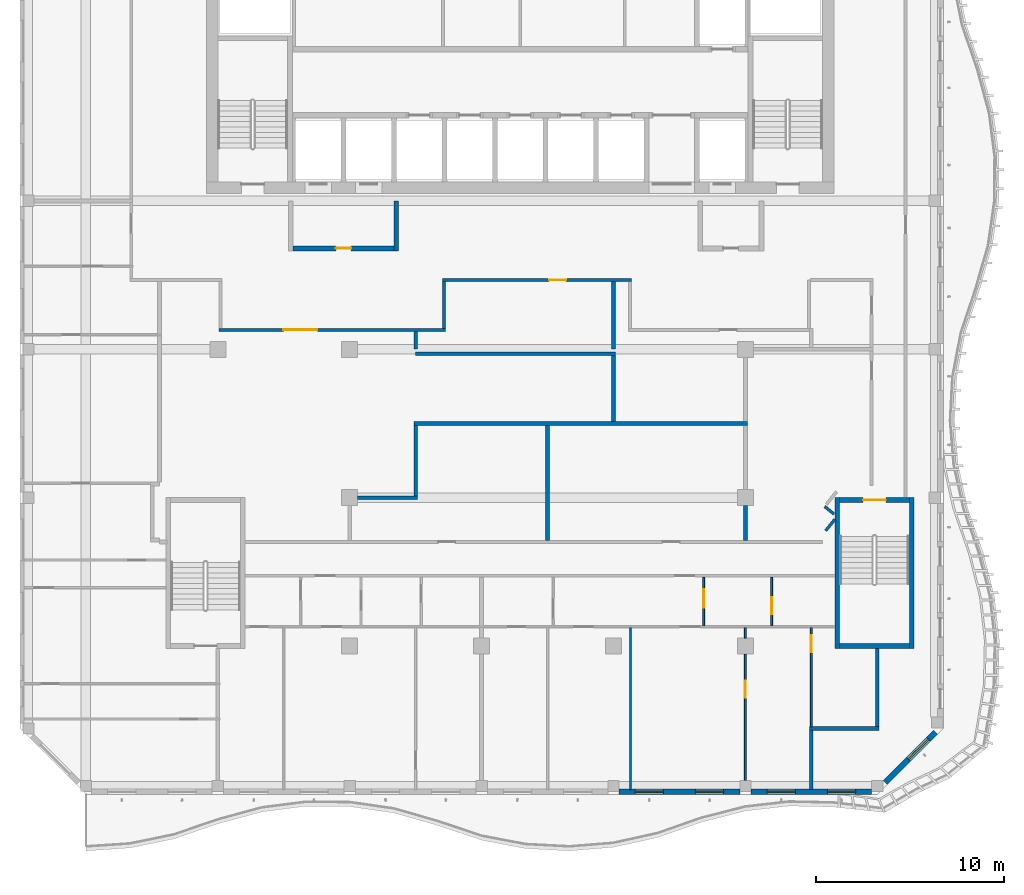
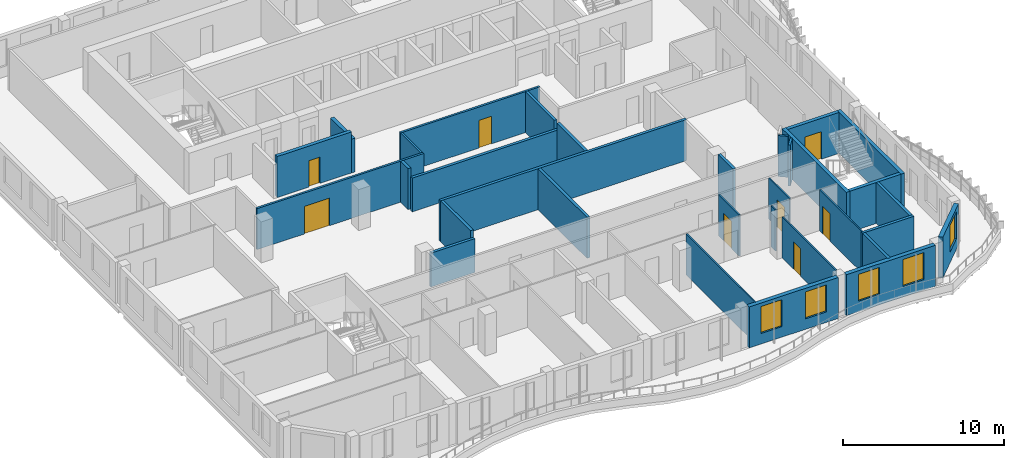
# One storey, part 4 of 17: 32 walls, 8 doors, 5 windows, 13 openings.
"""IFC4 building model written with IfcOpenShell, lengths in metres."""

from ifc_helpers import new_model, si_unit, direction, frame, frame_2d, origin, place, context, subcontext, project, spatial, rectangle, extrude, source, transform, mapped, material, layer, layer_set, type_object, element, fill, save


model = new_model("IFC4")

# Units and contexts
model_context = context("Model", 3, precision=1e-05, world=origin(), true_north=direction((0.0, 1.0)))
body_context = subcontext(model_context, "Body", "Model", "MODEL_VIEW")
ifc_project = project(units=[si_unit("LENGTHUNIT", "METRE"), si_unit("AREAUNIT", "SQUARE_METRE"), si_unit("VOLUMEUNIT", "CUBIC_METRE"), si_unit("PLANEANGLEUNIT", "RADIAN"), si_unit("MASSUNIT", "GRAM", prefix="KILO")], contexts=[model_context])

# Site, building, storey
site_placement = place(None, origin())
site = spatial("IfcSite", under=ifc_project, at=site_placement, CompositionType="ELEMENT")
building_placement = place(site_placement, origin())
building = spatial("IfcBuilding", under=site, at=building_placement, Name="Kilnfold Tower and Market Hall", CompositionType="ELEMENT")
storey_placement = place(building_placement, frame((0.0, 0.0, 301.800048828125)))
storey = spatial("IfcBuildingStorey", under=building, at=storey_placement, Name="L75", CompositionType="ELEMENT", Elevation=301.800048828125)

# Wall, opening, door
ifc_material_1 = material(Name="Gypsum board on steel studs", Category="steel")
ifc_layer_1 = layer(ifc_material_1, 0.14990234375)
ifc_layer_set_1 = layer_set([ifc_layer_1], Name="Gypsum board on steel studs")
wall_type_1 = type_object("IfcWallType", Name="WALL CORRIDOR 150", PredefinedType="PARTITIONING", material=ifc_layer_set_1)
wall_1_placement = place(storey_placement, frame((-14.93505859375, 1.14990234375, 0.0), z_axis=(0.0, 0.0, 1.0), x_axis=(1.0, 0.0, 0.0)))
wall_1 = element("IfcWall", 1, at=wall_1_placement, inside=storey, type_object=wall_type_1, Name="Partition LY45.9", PredefinedType="PARTITIONING", context=body_context, shape_type="SweptSolid", body=[
    extrude(rectangle(XDim=12.010009765625, YDim=0.14990234375, at=frame_2d((6.0048828125, 0.0))), origin(), (0.0, 0.0, 1.0), 3.119873046875),
])
opening_1_placement = place(wall_1_placement, frame((3.41796875, 0.0, 0.0)))
opening_1 = element("IfcOpeningElement", 2, at=opening_1_placement, cuts=wall_1, Name="Opening D5", PredefinedType="OPENING", context=body_context, shape_type="SweptSolid", body=[
    extrude(rectangle(XDim=1.800048828125, YDim=2.10009765625, at=frame_2d((0.89990234375, 1.050048828125))), frame((0.0, 0.0849609375, 0.0), z_axis=(0.0, -1.0, 0.0), x_axis=(1.0, 0.0, 0.0)), (0.0, 0.0, 1.0), 0.169921875),
])
ifc_material_2 = material(Name="Timber veneer door leaf in steel frame", Category="steel")
door_type_1 = type_object("IfcDoorType", Name="DOOR DOUBLE 1800 X2100", OperationType="NOTDEFINED", PredefinedType="DOOR", material=ifc_material_2)
door_1_placement = place(opening_1_placement, origin())
door_1 = element("IfcDoor", 3, at=door_1_placement, inside=storey, type_object=door_type_1, Name="Door D5", OperationType="DOUBLE_DOOR_SINGLE_SWING", OverallHeight=2.10009765625, OverallWidth=1.800048828125, PredefinedType="DOOR", context=body_context, shape_type="SweptSolid", body=[
    extrude(rectangle(XDim=1.800048828125, YDim=2.10009765625, at=frame_2d((0.89990234375, 1.050048828125))), frame((0.0, 0.02490234375, 0.0), z_axis=(0.0, -1.0, 0.0), x_axis=(1.0, 0.0, 0.0)), (0.0, 0.0, 1.0), 0.050048828125),
])
fill(opening_1, door_1)

wall_2_placement = place(storey_placement, frame((-3.074951171875, 3.800048828125, 0.0), z_axis=(0.0, 0.0, 1.0), x_axis=(1.0, 0.0, 0.0)))
wall_2 = element("IfcWall", 4, at=wall_2_placement, inside=storey, type_object=wall_type_1, Name="Partition LY45.12", PredefinedType="PARTITIONING", context=body_context, shape_type="SweptSolid", body=[
    extrude(rectangle(XDim=10.030029296875, YDim=0.14990234375, at=frame_2d((5.01513671875, 0.0))), origin(), (0.0, 0.0, 1.0), 3.119873046875),
])
opening_2_placement = place(wall_2_placement, frame((5.659912109375, 0.0, 0.0)))
opening_2 = element("IfcOpeningElement", 5, at=opening_2_placement, cuts=wall_2, Name="Opening D2", PredefinedType="OPENING", context=body_context, shape_type="SweptSolid", body=[
    extrude(rectangle(XDim=0.89990234375, YDim=2.10009765625, at=frame_2d((0.449951171875, 1.050048828125))), frame((0.0, 0.0849609375, 0.0), z_axis=(0.0, -1.0, 0.0), x_axis=(1.0, 0.0, 0.0)), (0.0, 0.0, 1.0), 0.169921875),
])
ifc_material_3 = material(Name="Timber veneer door leaf in steel frame", Category="steel")
door_type_2 = type_object("IfcDoorType", Name="DOOR ROOM 900 X2100", OperationType="NOTDEFINED", PredefinedType="DOOR", material=ifc_material_3)
door_2_placement = place(opening_2_placement, origin())
door_2 = element("IfcDoor", 6, at=door_2_placement, inside=storey, type_object=door_type_2, Name="Door D2", OperationType="SINGLE_SWING_LEFT", OverallHeight=2.10009765625, OverallWidth=0.89990234375, PredefinedType="DOOR", context=body_context, shape_type="SweptSolid", body=[
    extrude(rectangle(XDim=0.89990234375, YDim=2.10009765625, at=frame_2d((0.449951171875, 1.050048828125))), frame((0.0, 0.02490234375, 0.0), z_axis=(0.0, -1.0, 0.0), x_axis=(1.0, 0.0, 0.0)), (0.0, 0.0, 1.0), 0.050048828125),
])
fill(opening_2, door_2)

# Walls
wall_3_placement = place(storey_placement, frame((-3.0, 1.22509765625, 0.0), z_axis=(0.0, 0.0, 1.0), x_axis=(0.0, 1.0, 0.0)))
element("IfcWall", 7, at=wall_3_placement, inside=storey, type_object=wall_type_1, Name="Partition LY45.13", PredefinedType="PARTITIONING", context=body_context, shape_type="SweptSolid", body=[
    extrude(rectangle(XDim=2.5, YDim=0.14990234375, at=frame_2d((1.25, 0.0))), origin(), (0.0, 0.0, 1.0), 3.119873046875),
])
wall_4_placement = place(storey_placement, frame((17.748046875, -8.902099609375, 0.0), z_axis=(0.0, 0.0, 1.0), x_axis=(-0.630342797145, -0.776316918589, 0.0)))
element("IfcWall", 8, at=wall_4_placement, inside=storey, type_object=wall_type_1, Name="Partition LY45.17", PredefinedType="PARTITIONING", context=body_context, shape_type="SweptSolid", body=[
    extrude(rectangle(XDim=0.772705078125, YDim=0.14990234375, at=frame_2d((0.38623046875, 0.0))), origin(), (0.0, 0.0, 1.0), 3.119873046875),
])
wall_5_placement = place(storey_placement, frame((17.2060546875, -8.218017578125, 0.0), z_axis=(0.0, 0.0, 1.0), x_axis=(0.776102288291, -0.630607039376, 0.0)))
element("IfcWall", 9, at=wall_5_placement, inside=storey, type_object=wall_type_1, Name="Partition LY45.18", PredefinedType="PARTITIONING", context=body_context, shape_type="SweptSolid", body=[
    extrude(rectangle(XDim=0.6376953125, YDim=0.14990234375, at=frame_2d((0.31884765625, 0.0))), origin(), (0.0, 0.0, 1.0), 3.119873046875),
])

# Wall, opening, door
ifc_material_4 = material(Name="Gypsum board on steel studs", Category="steel")
ifc_layer_2 = layer(ifc_material_4, 0.10009765625)
ifc_layer_set_2 = layer_set([ifc_layer_2], Name="Gypsum board on steel studs")
wall_type_2 = type_object("IfcWallType", Name="WALL PARTITION 100", PredefinedType="PARTITIONING", material=ifc_layer_set_2)
wall_6_placement = place(storey_placement, frame((10.780029296875, -14.550048828125, 0.0), z_axis=(0.0, 0.0, 1.0), x_axis=(0.0, 1.0, 0.0)))
wall_6 = element("IfcWall", 10, at=wall_6_placement, inside=storey, type_object=wall_type_2, Name="Partition LY45.50", PredefinedType="PARTITIONING", context=body_context, shape_type="SweptSolid", body=[
    extrude(rectangle(XDim=2.572998046875, YDim=0.10009765625, at=frame_2d((1.28662109375, 0.0))), origin(), (0.0, 0.0, 1.0), 3.119873046875),
])
opening_3_placement = place(wall_6_placement, frame((0.946044921875, 0.0, 0.0)))
opening_3 = element("IfcOpeningElement", 11, at=opening_3_placement, cuts=wall_6, Name="Opening D1", PredefinedType="OPENING", context=body_context, shape_type="SweptSolid", body=[
    extrude(rectangle(XDim=1.0, YDim=2.10009765625, at=frame_2d((0.5, 1.050048828125))), frame((0.0, 0.06005859375, 0.0), z_axis=(0.0, -1.0, 0.0), x_axis=(1.0, 0.0, 0.0)), (0.0, 0.0, 1.0), 0.1201171875),
])
ifc_material_5 = material(Name="Timber veneer door leaf in steel frame", Category="steel")
door_type_3 = type_object("IfcDoorType", Name="DOOR ENTRY 1000 X2100", OperationType="NOTDEFINED", PredefinedType="DOOR", material=ifc_material_5)
door_3_placement = place(opening_3_placement, origin())
door_3 = element("IfcDoor", 12, at=door_3_placement, inside=storey, type_object=door_type_3, Name="Door D1", OperationType="SINGLE_SWING_RIGHT", OverallHeight=2.10009765625, OverallWidth=1.0, PredefinedType="DOOR", context=body_context, shape_type="SweptSolid", body=[
    extrude(rectangle(XDim=1.0, YDim=2.10009765625, at=frame_2d((0.5, 1.050048828125))), frame((0.0, 0.02490234375, 0.0), z_axis=(0.0, -1.0, 0.0), x_axis=(1.0, 0.0, 0.0)), (0.0, 0.0, 1.0), 0.050048828125),
])
fill(opening_3, door_3)

wall_7_placement = place(storey_placement, frame((14.389892578125, -14.550048828125, 0.0), z_axis=(0.0, 0.0, 1.0), x_axis=(0.0, 1.0, 0.0)))
wall_7 = element("IfcWall", 13, at=wall_7_placement, inside=storey, type_object=wall_type_2, Name="Partition LY45.51", PredefinedType="PARTITIONING", context=body_context, shape_type="SweptSolid", body=[
    extrude(rectangle(XDim=2.572998046875, YDim=0.10009765625, at=frame_2d((1.28662109375, 0.0))), origin(), (0.0, 0.0, 1.0), 3.119873046875),
])
opening_4_placement = place(wall_7_placement, frame((0.6240234375, 0.0, 0.0)))
opening_4 = element("IfcOpeningElement", 14, at=opening_4_placement, cuts=wall_7, Name="Opening D2", PredefinedType="OPENING", context=body_context, shape_type="SweptSolid", body=[
    extrude(rectangle(XDim=0.89990234375, YDim=2.10009765625, at=frame_2d((0.449951171875, 1.050048828125))), frame((0.0, 0.06005859375, 0.0), z_axis=(0.0, -1.0, 0.0), x_axis=(1.0, 0.0, 0.0)), (0.0, 0.0, 1.0), 0.1201171875),
])
door_4_placement = place(opening_4_placement, origin())
door_4 = element("IfcDoor", 15, at=door_4_placement, inside=storey, type_object=door_type_2, Name="Door D2", OperationType="SINGLE_SWING_LEFT", OverallHeight=2.10009765625, OverallWidth=0.89990234375, PredefinedType="DOOR", context=body_context, shape_type="SweptSolid", body=[
    extrude(rectangle(XDim=0.89990234375, YDim=2.10009765625, at=frame_2d((0.449951171875, 1.050048828125))), frame((0.0, 0.02490234375, 0.0), z_axis=(0.0, -1.0, 0.0), x_axis=(1.0, 0.0, 0.0)), (0.0, 0.0, 1.0), 0.050048828125),
])
fill(opening_4, door_4)

# Walls
wall_8_placement = place(storey_placement, frame((6.89990234375, -23.25, 0.0), z_axis=(0.0, 0.0, 1.0), x_axis=(0.0, 1.0, 0.0)))
element("IfcWall", 16, at=wall_8_placement, inside=storey, type_object=wall_type_2, Name="Partition LY45.53", PredefinedType="PARTITIONING", context=body_context, shape_type="SweptSolid", body=[
    extrude(rectangle(XDim=8.597900390625, YDim=0.10009765625, at=frame_2d((4.298828125, 0.0))), origin(), (0.0, 0.0, 1.0), 3.119873046875),
])
wall_9_placement = place(storey_placement, frame((13.0, -15.199951171875, 0.0), z_axis=(0.0, 0.0, 1.0), x_axis=(0.0, 1.0, 0.0)))
element("IfcWall", 17, at=wall_9_placement, inside=storey, type_object=wall_type_2, Name="Partition LY45.54", PredefinedType="PARTITIONING", context=body_context, shape_type="SweptSolid", body=[
    extrude(rectangle(XDim=0.5478515625, YDim=0.10009765625, at=frame_2d((0.27392578125, 0.0))), origin(), (0.0, 0.0, 1.0), 3.119873046875),
])

# Wall, opening, door
wall_10_placement = place(storey_placement, frame((13.0, -22.75, 0.0), z_axis=(0.0, 0.0, 1.0), x_axis=(0.0, 1.0, 0.0)))
wall_10 = element("IfcWall", 18, at=wall_10_placement, inside=storey, type_object=wall_type_2, Name="Partition LY45.55", PredefinedType="PARTITIONING", context=body_context, shape_type="SweptSolid", body=[
    extrude(rectangle(XDim=6.699951171875, YDim=0.10009765625, at=frame_2d((3.35009765625, 0.0))), origin(), (0.0, 0.0, 1.0), 3.119873046875),
])
opening_5_placement = place(wall_10_placement, frame((4.376953125, 0.0, 0.0)))
opening_5 = element("IfcOpeningElement", 19, at=opening_5_placement, cuts=wall_10, Name="Opening D2", PredefinedType="OPENING", context=body_context, shape_type="SweptSolid", body=[
    extrude(rectangle(XDim=0.89990234375, YDim=2.10009765625, at=frame_2d((0.449951171875, 1.050048828125))), frame((0.0, 0.06005859375, 0.0), z_axis=(0.0, -1.0, 0.0), x_axis=(1.0, 0.0, 0.0)), (0.0, 0.0, 1.0), 0.1201171875),
])
door_5_placement = place(opening_5_placement, origin())
door_5 = element("IfcDoor", 20, at=door_5_placement, inside=storey, type_object=door_type_2, Name="Door D2", OperationType="SINGLE_SWING_RIGHT", OverallHeight=2.10009765625, OverallWidth=0.89990234375, PredefinedType="DOOR", context=body_context, shape_type="SweptSolid", body=[
    extrude(rectangle(XDim=0.89990234375, YDim=2.10009765625, at=frame_2d((0.449951171875, 1.050048828125))), frame((0.0, 0.02490234375, 0.0), z_axis=(0.0, -1.0, 0.0), x_axis=(1.0, 0.0, 0.0)), (0.0, 0.0, 1.0), 0.050048828125),
])
fill(opening_5, door_5)

wall_11_placement = place(storey_placement, frame((16.5, -19.909912109375, 0.0), z_axis=(0.0, 0.0, 1.0), x_axis=(0.0, 1.0, 0.0)))
wall_11 = element("IfcWall", 21, at=wall_11_placement, inside=storey, type_object=wall_type_2, Name="Partition LY45.56", PredefinedType="PARTITIONING", context=body_context, shape_type="SweptSolid", body=[
    extrude(rectangle(XDim=5.2578125, YDim=0.10009765625, at=frame_2d((2.62890625, 0.0))), origin(), (0.0, 0.0, 1.0), 3.119873046875),
])
opening_6_placement = place(wall_11_placement, frame((3.955078125, 0.0, 0.0)))
opening_6 = element("IfcOpeningElement", 22, at=opening_6_placement, cuts=wall_11, Name="Opening D2", PredefinedType="OPENING", context=body_context, shape_type="SweptSolid", body=[
    extrude(rectangle(XDim=0.89990234375, YDim=2.10009765625, at=frame_2d((0.449951171875, 1.050048828125))), frame((0.0, 0.06005859375, 0.0), z_axis=(0.0, -1.0, 0.0), x_axis=(1.0, 0.0, 0.0)), (0.0, 0.0, 1.0), 0.1201171875),
])
door_6_placement = place(opening_6_placement, origin())
door_6 = element("IfcDoor", 23, at=door_6_placement, inside=storey, type_object=door_type_2, Name="Door D2", OperationType="SINGLE_SWING_RIGHT", OverallHeight=2.10009765625, OverallWidth=0.89990234375, PredefinedType="DOOR", context=body_context, shape_type="SweptSolid", body=[
    extrude(rectangle(XDim=0.89990234375, YDim=2.10009765625, at=frame_2d((0.449951171875, 1.050048828125))), frame((0.0, 0.02490234375, 0.0), z_axis=(0.0, -1.0, 0.0), x_axis=(1.0, 0.0, 0.0)), (0.0, 0.0, 1.0), 0.050048828125),
])
fill(opening_6, door_6)

# Walls
ifc_material_6 = material(Name="Gypsum board on steel studs", Category="steel")
ifc_layer_3 = layer(ifc_material_6, 0.199951171875)
ifc_layer_set_3 = layer_set([ifc_layer_3], Name="Gypsum board on steel studs")
wall_type_3 = type_object("IfcWallType", Name="WALL PARTY 200", PredefinedType="PARTITIONING", material=ifc_layer_set_3)
wall_12_placement = place(storey_placement, frame((16.5, -23.25, 0.0), z_axis=(0.0, 0.0, 1.0), x_axis=(0.0, 1.0, 0.0)))
element("IfcWall", 24, at=wall_12_placement, inside=storey, type_object=wall_type_3, Name="Partition LY45.57", PredefinedType="PARTITIONING", context=body_context, shape_type="SweptSolid", body=[
    extrude(rectangle(XDim=3.159912109375, YDim=0.199951171875, at=frame_2d((1.580078125, 0.0))), origin(), (0.0, 0.0, 1.0), 3.119873046875),
])
wall_13_placement = place(storey_placement, frame((20.0, -19.89990234375, 0.0), z_axis=(0.0, 0.0, 1.0), x_axis=(0.0, 1.0, 0.0)))
element("IfcWall", 25, at=wall_13_placement, inside=storey, type_object=wall_type_3, Name="Partition LY45.58", PredefinedType="PARTITIONING", context=body_context, shape_type="SweptSolid", body=[
    extrude(rectangle(XDim=4.14990234375, YDim=0.199951171875, at=frame_2d((2.074951171875, 0.0))), origin(), (0.0, 0.0, 1.0), 3.119873046875),
])
wall_14_placement = place(storey_placement, frame((16.39990234375, -20.0, 0.0), z_axis=(0.0, 0.0, 1.0), x_axis=(1.0, 0.0, 0.0)))
element("IfcWall", 26, at=wall_14_placement, inside=storey, type_object=wall_type_3, Name="Partition LY45.59", PredefinedType="PARTITIONING", context=body_context, shape_type="SweptSolid", body=[
    extrude(rectangle(XDim=3.7001953125, YDim=0.199951171875, at=frame_2d((1.85009765625, 0.0))), origin(), (0.0, 0.0, 1.0), 3.119873046875),
])
wall_15_placement = place(storey_placement, frame((-4.60009765625, -3.81201171875, 0.0), z_axis=(0.0, 0.0, 1.0), x_axis=(1.0, 0.0, 0.0)))
element("IfcWall", 27, at=wall_15_placement, inside=storey, type_object=wall_type_3, Name="Partition LY45.62", PredefinedType="PARTITIONING", context=body_context, shape_type="SweptSolid", body=[
    extrude(rectangle(XDim=17.7001953125, YDim=0.199951171875, at=frame_2d((8.85009765625, 0.0))), origin(), (0.0, 0.0, 1.0), 3.119873046875),
])
wall_16_placement = place(storey_placement, frame((-4.5, -7.64990234375, 0.0), z_axis=(0.0, 0.0, 1.0), x_axis=(0.0, 1.0, 0.0)))
element("IfcWall", 28, at=wall_16_placement, inside=storey, type_object=wall_type_3, Name="Partition LY45.63", PredefinedType="PARTITIONING", context=body_context, shape_type="SweptSolid", body=[
    extrude(rectangle(XDim=3.73779296875, YDim=0.199951171875, at=frame_2d((1.868896484375, 0.0))), origin(), (0.0, 0.0, 1.0), 3.119873046875),
])
wall_17_placement = place(storey_placement, frame((-7.574951171875, -7.75, 0.0), z_axis=(0.0, 0.0, 1.0), x_axis=(1.0, 0.0, 0.0)))
element("IfcWall", 29, at=wall_17_placement, inside=storey, type_object=wall_type_3, Name="Partition LY45.64", PredefinedType="PARTITIONING", context=body_context, shape_type="SweptSolid", body=[
    extrude(rectangle(XDim=3.175048828125, YDim=0.199951171875, at=frame_2d((1.58740234375, 0.0))), origin(), (0.0, 0.0, 1.0), 2.570068359375),
])
wall_18_placement = place(storey_placement, frame((-4.5, 0.126953125, 0.0), z_axis=(0.0, 0.0, 1.0), x_axis=(0.0, 1.0, 0.0)))
element("IfcWall", 30, at=wall_18_placement, inside=storey, type_object=wall_type_3, Name="Partition LY45.66", PredefinedType="PARTITIONING", context=body_context, shape_type="SweptSolid", body=[
    extrude(rectangle(XDim=0.946044921875, YDim=0.199951171875, at=frame_2d((0.47314453125, 0.0))), origin(), (0.0, 0.0, 1.0), 3.119873046875),
])
wall_19_placement = place(storey_placement, frame((6.10009765625, -0.10888671875, 0.0), z_axis=(0.0, 0.0, 1.0), x_axis=(-1.0, 0.0, 0.0)))
element("IfcWall", 31, at=wall_19_placement, inside=storey, type_object=wall_type_3, Name="Partition LY45.67", PredefinedType="PARTITIONING", context=body_context, shape_type="SweptSolid", body=[
    extrude(rectangle(XDim=10.60205078125, YDim=0.199951171875, at=frame_2d((5.301025390625, 0.0))), origin(), (0.0, 0.0, 1.0), 2.570068359375),
])
wall_20_placement = place(storey_placement, frame((6.0, -3.7119140625, 0.0), z_axis=(0.0, 0.0, 1.0), x_axis=(0.0, 1.0, 0.0)))
element("IfcWall", 32, at=wall_20_placement, inside=storey, type_object=wall_type_3, Name="Partition LY45.68", PredefinedType="PARTITIONING", context=body_context, shape_type="SweptSolid", body=[
    extrude(rectangle(XDim=3.5029296875, YDim=0.199951171875, at=frame_2d((1.75146484375, 0.0))), origin(), (0.0, 0.0, 1.0), 3.119873046875),
])
wall_21_placement = place(storey_placement, frame((2.5, -10.02294921875, 0.0), z_axis=(0.0, 0.0, 1.0), x_axis=(0.0, 1.0, 0.0)))
element("IfcWall", 33, at=wall_21_placement, inside=storey, type_object=wall_type_3, Name="Partition LY45.69", PredefinedType="PARTITIONING", context=body_context, shape_type="SweptSolid", body=[
    extrude(rectangle(XDim=6.11083984375, YDim=0.199951171875, at=frame_2d((3.055419921875, 0.0))), origin(), (0.0, 0.0, 1.0), 3.119873046875),
])
wall_22_placement = place(storey_placement, frame((6.0, 0.135986328125, 0.0), z_axis=(0.0, 0.0, 1.0), x_axis=(0.0, 1.0, 0.0)))
element("IfcWall", 34, at=wall_22_placement, inside=storey, type_object=wall_type_3, Name="Partition LY45.70", PredefinedType="PARTITIONING", context=body_context, shape_type="SweptSolid", body=[
    extrude(rectangle(XDim=3.5869140625, YDim=0.199951171875, at=frame_2d((1.79345703125, 0.0))), origin(), (0.0, 0.0, 1.0), 3.119873046875),
])
wall_23_placement = place(storey_placement, frame((13.0, -10.02294921875, 0.0), z_axis=(0.0, 0.0, 1.0), x_axis=(0.0, 1.0, 0.0)))
element("IfcWall", 35, at=wall_23_placement, inside=storey, type_object=wall_type_3, Name="Partition LY45.72", PredefinedType="PARTITIONING", context=body_context, shape_type="SweptSolid", body=[
    extrude(rectangle(XDim=1.847900390625, YDim=0.199951171875, at=frame_2d((0.923828125, 0.0))), origin(), (0.0, 0.0, 1.0), 3.119873046875),
])
ifc_material_7 = material(Name="Concrete C50", Category="concrete")
ifc_layer_4 = layer(ifc_material_7, 0.25)
ifc_layer_set_4 = layer_set([ifc_layer_4], Name="Concrete C50")
wall_type_4 = type_object("IfcWallType", Name="CORE WALL 250 C50", PredefinedType="SHEAR", material=ifc_layer_set_4)
shared_shape_1 = source(origin(), body_context, "Body", "SweptSolid", [
    extrude(rectangle(XDim=3.699951171875, YDim=0.25, at=frame_2d((1.85009765625, 0.0))), origin(), (0.0, 0.0, 1.0), 3.119873046875),
])
wall_24_placement = place(storey_placement, frame((18.0, -15.625, 0.0), z_axis=(0.0, 0.0, 1.0), x_axis=(1.0, 0.0, 0.0)))
element("IfcWall", 36, at=wall_24_placement, inside=storey, type_object=wall_type_4, Name="Stair enclosure ST4", PredefinedType="SHEAR", context=body_context, shape_type="MappedRepresentation", body=[
    mapped(shared_shape_1, transform((0.0, 0.0, 0.0))),
])

# Wall, opening, door
wall_25_placement = place(storey_placement, frame((18.0, -7.875, 0.0), z_axis=(0.0, 0.0, 1.0), x_axis=(1.0, 0.0, 0.0)))
wall_25 = element("IfcWall", 37, at=wall_25_placement, inside=storey, type_object=wall_type_4, Name="Stair enclosure ST4", PredefinedType="SHEAR", context=body_context, shape_type="MappedRepresentation", body=[
    mapped(shared_shape_1, transform((0.0, 0.0, 0.0))),
])
opening_7_placement = place(wall_25_placement, frame((1.25, 0.0, 0.0)))
opening_7 = element("IfcOpeningElement", 38, at=opening_7_placement, cuts=wall_25, Name="Opening SD1", PredefinedType="OPENING", context=body_context, shape_type="SweptSolid", body=[
    extrude(rectangle(XDim=1.199951171875, YDim=2.10009765625, at=frame_2d((0.60009765625, 1.050048828125))), frame((0.0, 0.135009765625, 0.0), z_axis=(0.0, -1.0, 0.0), x_axis=(1.0, 0.0, 0.0)), (0.0, 0.0, 1.0), 0.27001953125),
])
ifc_material_8 = material(Name="Steel door set with fire-resisting leaf", Category="steel")
door_type_4 = type_object("IfcDoorType", Name="STAIR FLOOR DOOR 1200X2100", OperationType="NOTDEFINED", PredefinedType="DOOR", material=ifc_material_8)
door_7_placement = place(opening_7_placement, origin())
door_7 = element("IfcDoor", 39, at=door_7_placement, inside=storey, type_object=door_type_4, Name="Exit stair ST4 door", OperationType="DOUBLE_DOOR_SINGLE_SWING", OverallHeight=2.10009765625, OverallWidth=1.199951171875, PredefinedType="DOOR", context=body_context, shape_type="SweptSolid", body=[
    extrude(rectangle(XDim=1.199951171875, YDim=2.10009765625, at=frame_2d((0.60009765625, 1.050048828125))), frame((0.0, 0.02490234375, 0.0), z_axis=(0.0, -1.0, 0.0), x_axis=(1.0, 0.0, 0.0)), (0.0, 0.0, 1.0), 0.050048828125),
])
fill(opening_7, door_7)

# Walls
shared_shape_2 = source(origin(), body_context, "Body", "SweptSolid", [
    extrude(rectangle(XDim=8.0, YDim=0.25, at=frame_2d((4.0, 0.0))), origin(), (0.0, 0.0, 1.0), 3.119873046875),
])
for number, where, z_axis, x_axis, name in (
    (40, (17.875, -15.75, 0.0), (0.0, 0.0, 1.0), (0.0, 1.0, 0.0), "Stair enclosure ST4"),
    (41, (21.824951171875, -15.75, 0.0), (0.0, 0.0, 1.0), (0.0, 1.0, 0.0), "Stair enclosure ST4"),
):
    element("IfcWall", number, at=place(storey_placement, frame(where, z_axis=z_axis, x_axis=x_axis)), inside=storey, type_object=wall_type_4, Name=name, PredefinedType="SHEAR", context=body_context, shape_type="MappedRepresentation", body=[
        mapped(shared_shape_2, transform((0.0, 0.0, 0.0))),
    ])

# Wall, openings, windows
ifc_material_9 = material(Name="Precast concrete C50/60", Category="concrete")
ifc_layer_5 = layer(ifc_material_9, 0.300048828125)
ifc_layer_set_5 = layer_set([ifc_layer_5], Name="Precast concrete C50/60")
wall_type_5 = type_object("IfcWallType", Name="PRECAST WALL 300", PredefinedType="SOLIDWALL", material=ifc_layer_set_5)
shared_shape_3 = source(origin(), body_context, "Body", "SweptSolid", [
    extrude(rectangle(XDim=6.39990234375, YDim=0.300048828125, at=frame_2d((3.199951171875, 0.0))), origin(), (0.0, 0.0, 1.0), 3.119873046875),
])
wall_26_placement = place(storey_placement, frame((6.300048828125, -23.35009765625, 0.0), z_axis=(0.0, 0.0, 1.0), x_axis=(1.0, 0.0, 0.0)))
wall_26 = element("IfcWall", 42, at=wall_26_placement, inside=storey, type_object=wall_type_5, Name="External wall L75 S", PredefinedType="SOLIDWALL", context=body_context, shape_type="MappedRepresentation", body=[
    mapped(shared_shape_3, transform((0.0, 0.0, 0.0))),
])
opening_8_placement = place(wall_26_placement, frame((0.85009765625, 0.0, 0.800048828125)))
opening_8 = element("IfcOpeningElement", 43, at=opening_8_placement, cuts=wall_26, Name="Opening W5", PredefinedType="OPENING", context=body_context, shape_type="SweptSolid", body=[
    extrude(rectangle(XDim=1.5, YDim=2.050048828125, at=frame_2d((0.75, 1.02490234375))), frame((0.0, 0.16015625, 0.0), z_axis=(0.0, -1.0, 0.0), x_axis=(1.0, 0.0, 0.0)), (0.0, 0.0, 1.0), 0.320068359375),
])
opening_9_placement = place(wall_26_placement, frame((4.050048828125, 0.0, 0.800048828125)))
opening_9 = element("IfcOpeningElement", 44, at=opening_9_placement, cuts=wall_26, Name="Opening W5", PredefinedType="OPENING", context=body_context, shape_type="SweptSolid", body=[
    extrude(rectangle(XDim=1.5, YDim=2.050048828125, at=frame_2d((0.75, 1.02490234375))), frame((0.0, 0.16015625, 0.0), z_axis=(0.0, -1.0, 0.0), x_axis=(1.0, 0.0, 0.0)), (0.0, 0.0, 1.0), 0.320068359375),
])
ifc_material_10 = material(Name="Aluminium frame and double glazing", Category="aluminium")
window_type = type_object("IfcWindowType", Name="WINDOW W5 1500X2050", PartitioningType="SINGLE_PANEL", PredefinedType="WINDOW", material=ifc_material_10)
window_1_placement = place(opening_8_placement, origin())
window_1 = element("IfcWindow", 45, at=window_1_placement, inside=storey, type_object=window_type, Name="Window W5 L75 S-1", OverallHeight=2.050048828125, OverallWidth=1.5, PartitioningType="SINGLE_PANEL", PredefinedType="WINDOW", context=body_context, shape_type="SweptSolid", body=[
    extrude(rectangle(XDim=1.5, YDim=2.050048828125, at=frame_2d((0.75, 1.02490234375))), frame((0.0, 0.030029296875, 0.0), z_axis=(0.0, -1.0, 0.0), x_axis=(1.0, 0.0, 0.0)), (0.0, 0.0, 1.0), 0.06005859375),
])
fill(opening_8, window_1)
window_2_placement = place(opening_9_placement, origin())
window_2 = element("IfcWindow", 46, at=window_2_placement, inside=storey, type_object=window_type, Name="Window W5 L75 S-2", OverallHeight=2.050048828125, OverallWidth=1.5, PartitioningType="SINGLE_PANEL", PredefinedType="WINDOW", context=body_context, shape_type="SweptSolid", body=[
    extrude(rectangle(XDim=1.5, YDim=2.050048828125, at=frame_2d((0.75, 1.02490234375))), frame((0.0, 0.030029296875, 0.0), z_axis=(0.0, -1.0, 0.0), x_axis=(1.0, 0.0, 0.0)), (0.0, 0.0, 1.0), 0.06005859375),
])
fill(opening_9, window_2)

wall_27_placement = place(storey_placement, frame((13.300048828125, -23.35009765625, 0.0), z_axis=(0.0, 0.0, 1.0), x_axis=(1.0, 0.0, 0.0)))
wall_27 = element("IfcWall", 47, at=wall_27_placement, inside=storey, type_object=wall_type_5, Name="External wall L75 S", PredefinedType="SOLIDWALL", context=body_context, shape_type="MappedRepresentation", body=[
    mapped(shared_shape_3, transform((0.0, 0.0, 0.0))),
])
opening_10_placement = place(wall_27_placement, frame((0.85009765625, 0.0, 0.800048828125)))
opening_10 = element("IfcOpeningElement", 48, at=opening_10_placement, cuts=wall_27, Name="Opening W5", PredefinedType="OPENING", context=body_context, shape_type="SweptSolid", body=[
    extrude(rectangle(XDim=1.5, YDim=2.050048828125, at=frame_2d((0.75, 1.02490234375))), frame((0.0, 0.16015625, 0.0), z_axis=(0.0, -1.0, 0.0), x_axis=(1.0, 0.0, 0.0)), (0.0, 0.0, 1.0), 0.320068359375),
])
opening_11_placement = place(wall_27_placement, frame((4.050048828125, 0.0, 0.800048828125)))
opening_11 = element("IfcOpeningElement", 49, at=opening_11_placement, cuts=wall_27, Name="Opening W5", PredefinedType="OPENING", context=body_context, shape_type="SweptSolid", body=[
    extrude(rectangle(XDim=1.5, YDim=2.050048828125, at=frame_2d((0.75, 1.02490234375))), frame((0.0, 0.16015625, 0.0), z_axis=(0.0, -1.0, 0.0), x_axis=(1.0, 0.0, 0.0)), (0.0, 0.0, 1.0), 0.320068359375),
])
window_3_placement = place(opening_10_placement, origin())
window_3 = element("IfcWindow", 50, at=window_3_placement, inside=storey, type_object=window_type, Name="Window W5 L75 S-1", OverallHeight=2.050048828125, OverallWidth=1.5, PartitioningType="SINGLE_PANEL", PredefinedType="WINDOW", context=body_context, shape_type="SweptSolid", body=[
    extrude(rectangle(XDim=1.5, YDim=2.050048828125, at=frame_2d((0.75, 1.02490234375))), frame((0.0, 0.030029296875, 0.0), z_axis=(0.0, -1.0, 0.0), x_axis=(1.0, 0.0, 0.0)), (0.0, 0.0, 1.0), 0.06005859375),
])
fill(opening_10, window_3)
window_4_placement = place(opening_11_placement, origin())
window_4 = element("IfcWindow", 51, at=window_4_placement, inside=storey, type_object=window_type, Name="Window W5 L75 S-2", OverallHeight=2.050048828125, OverallWidth=1.5, PartitioningType="SINGLE_PANEL", PredefinedType="WINDOW", context=body_context, shape_type="SweptSolid", body=[
    extrude(rectangle(XDim=1.5, YDim=2.050048828125, at=frame_2d((0.75, 1.02490234375))), frame((0.0, 0.030029296875, 0.0), z_axis=(0.0, -1.0, 0.0), x_axis=(1.0, 0.0, 0.0)), (0.0, 0.0, 1.0), 0.06005859375),
])
fill(opening_11, window_4)

# Wall, opening, window
shared_shape_4 = source(origin(), body_context, "Body", "SweptSolid", [
    extrude(rectangle(XDim=3.783203125, YDim=0.300048828125, at=frame_2d((1.8916015625, 0.0))), origin(), (0.0, 0.0, 1.0), 3.119873046875),
])
wall_28_placement = place(storey_placement, frame((20.4189453125, -22.868896484375, 0.0), z_axis=(0.0, 0.0, 1.0), x_axis=(0.707106781187, 0.707106781187, 0.0)))
wall_28 = element("IfcWall", 52, at=wall_28_placement, inside=storey, type_object=wall_type_5, Name="External wall L75 SE", PredefinedType="SOLIDWALL", context=body_context, shape_type="MappedRepresentation", body=[
    mapped(shared_shape_4, transform((0.0, 0.0, 0.0))),
])
opening_12_placement = place(wall_28_placement, frame((1.75, 0.0, 0.800048828125)))
opening_12 = element("IfcOpeningElement", 53, at=opening_12_placement, cuts=wall_28, Name="Opening W5", PredefinedType="OPENING", context=body_context, shape_type="SweptSolid", body=[
    extrude(rectangle(XDim=1.5, YDim=2.050048828125, at=frame_2d((0.75, 1.02490234375))), frame((0.0, 0.16015625, 0.0), z_axis=(0.0, -1.0, 0.0), x_axis=(1.0, 0.0, 0.0)), (0.0, 0.0, 1.0), 0.320068359375),
])
window_5_placement = place(opening_12_placement, origin())
window_5 = element("IfcWindow", 54, at=window_5_placement, inside=storey, type_object=window_type, Name="Window W5 L75 SE-1", OverallHeight=2.050048828125, OverallWidth=1.5, PartitioningType="SINGLE_PANEL", PredefinedType="WINDOW", context=body_context, shape_type="SweptSolid", body=[
    extrude(rectangle(XDim=1.5, YDim=2.050048828125, at=frame_2d((0.75, 1.02490234375))), frame((0.0, 0.030029296875, 0.0), z_axis=(0.0, -1.0, 0.0), x_axis=(1.0, 0.0, 0.0)), (0.0, 0.0, 1.0), 0.06005859375),
])
fill(opening_12, window_5)

# Wall, opening, door
ifc_material_11 = material(Name="Gypsum shaft wall system")
ifc_layer_6 = layer(ifc_material_11, 0.25)
ifc_layer_set_6 = layer_set([ifc_layer_6], Name="Gypsum shaft wall system")
wall_type_6 = type_object("IfcWallType", Name="LOBBY WALL 250", PredefinedType="PARTITIONING", material=ifc_layer_set_6)
shared_shape_5 = source(origin(), body_context, "Body", "SweptSolid", [
    extrude(rectangle(XDim=5.360107421875, YDim=0.25, at=frame_2d((2.68017578125, 0.0))), origin(), (0.0, 0.0, 1.0), 3.119873046875),
])
wall_29_placement = place(storey_placement, frame((-11.010009765625, 5.47509765625, 0.0), z_axis=(0.0, 0.0, 1.0), x_axis=(1.0, 0.0, 0.0)))
wall_29 = element("IfcWall", 55, at=wall_29_placement, inside=storey, type_object=wall_type_6, Name="Firefighting lobby wall", PredefinedType="PARTITIONING", context=body_context, shape_type="MappedRepresentation", body=[
    mapped(shared_shape_5, transform((0.0, 0.0, 0.0))),
])
opening_13_placement = place(wall_29_placement, frame((2.280029296875, 0.0, 0.0)))
opening_13 = element("IfcOpeningElement", 56, at=opening_13_placement, cuts=wall_29, Name="Opening VD1", PredefinedType="OPENING", context=body_context, shape_type="SweptSolid", body=[
    extrude(rectangle(XDim=0.800048828125, YDim=2.0, at=frame_2d((0.39990234375, 1.0))), frame((0.0, 0.135009765625, 0.0), z_axis=(0.0, -1.0, 0.0), x_axis=(1.0, 0.0, 0.0)), (0.0, 0.0, 1.0), 0.27001953125),
])
ifc_material_12 = material(Name="Steel door set with fire-resisting leaf", Category="steel")
door_type_5 = type_object("IfcDoorType", Name="FIREFIGHTING LOBBY DOOR 800X2000", OperationType="NOTDEFINED", PredefinedType="DOOR", material=ifc_material_12)
door_8_placement = place(opening_13_placement, origin())
door_8 = element("IfcDoor", 57, at=door_8_placement, inside=storey, type_object=door_type_5, Name="Firefighting lobby door", OperationType="SINGLE_SWING_LEFT", OverallHeight=2.0, OverallWidth=0.800048828125, PredefinedType="DOOR", context=body_context, shape_type="SweptSolid", body=[
    extrude(rectangle(XDim=0.800048828125, YDim=2.0, at=frame_2d((0.39990234375, 1.0))), frame((0.0, 0.02490234375, 0.0), z_axis=(0.0, -1.0, 0.0), x_axis=(1.0, 0.0, 0.0)), (0.0, 0.0, 1.0), 0.050048828125),
])
fill(opening_13, door_8)

# Wall
shared_shape_6 = source(origin(), body_context, "Body", "SweptSolid", [
    extrude(rectangle(XDim=2.64990234375, YDim=0.25, at=frame_2d((1.324951171875, 0.0))), origin(), (0.0, 0.0, 1.0), 2.570068359375),
])
wall_30_placement = place(storey_placement, frame((-5.52490234375, 5.35009765625, 0.0), z_axis=(0.0, 0.0, 1.0), x_axis=(0.0, 1.0, 0.0)))
element("IfcWall", 58, at=wall_30_placement, inside=storey, type_object=wall_type_6, Name="Firefighting lobby wall", PredefinedType="PARTITIONING", context=body_context, shape_type="MappedRepresentation", body=[
    mapped(shared_shape_6, transform((0.0, 0.0, 0.0))),
])

save(model, "model.ifc")
